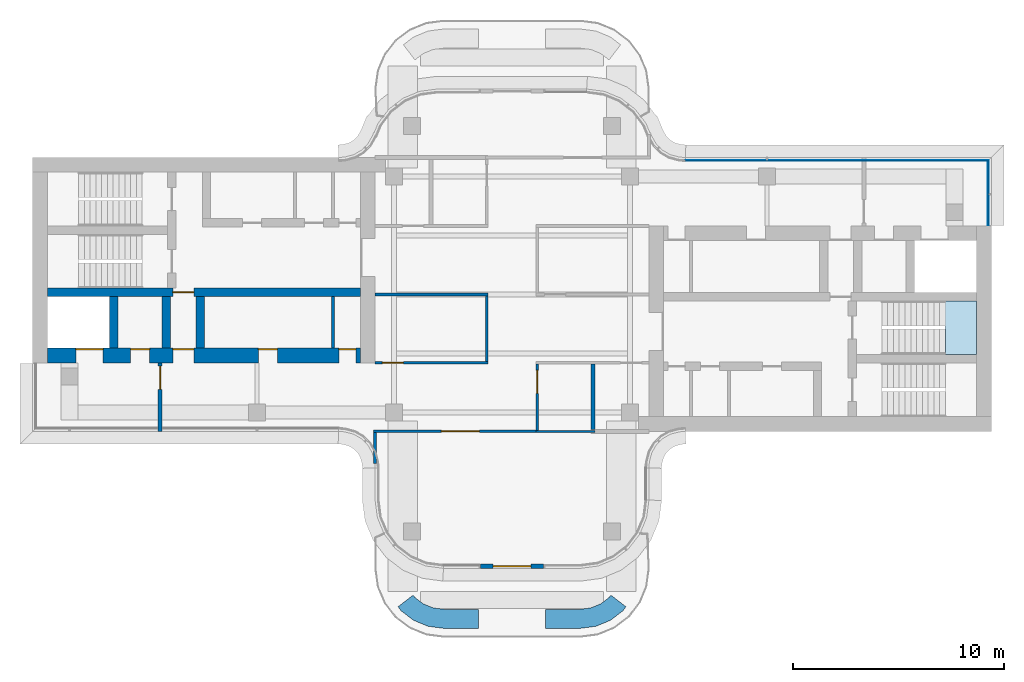
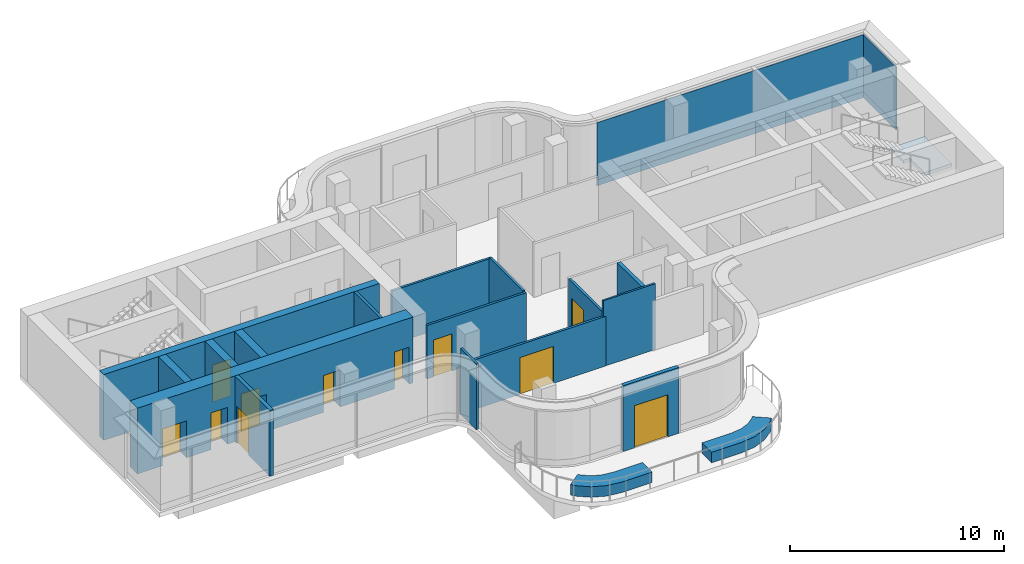
# One storey, part 6 of 9: 18 walls, 11 doors, 4 plates, 1 slab, 11 openings, 3 elements without a shape of their own.
"""IFC4 building model written with IfcOpenShell, lengths in metres."""

from ifc_helpers import new_model, si_unit, direction, frame, frame_2d, origin, place, context, subcontext, project, spatial, polyline, rectangle, outline, extrude, source, transform, mapped, material, layer, layer_set, type_object, element, fill, aggregate, save


model = new_model("IFC4")

# Units and contexts
model_context = context("Model", 3, precision=1e-05, world=origin(), true_north=direction((0.0, 1.0)))
body_context = subcontext(model_context, "Body", "Model", "MODEL_VIEW")
ifc_project = project(units=[si_unit("LENGTHUNIT", "METRE"), si_unit("AREAUNIT", "SQUARE_METRE"), si_unit("VOLUMEUNIT", "CUBIC_METRE"), si_unit("PLANEANGLEUNIT", "RADIAN"), si_unit("MASSUNIT", "GRAM", prefix="KILO")], contexts=[model_context])

# Site, building, storey
site_placement = place(None, origin())
site = spatial("IfcSite", under=ifc_project, at=site_placement, CompositionType="ELEMENT")
building_placement = place(site_placement, origin())
building = spatial("IfcBuilding", under=site, at=building_placement, Name="Trellis Farm Tower", CompositionType="ELEMENT")
storey_placement = place(building_placement, frame((0.0, 0.0, 354.10009765625)))
storey = spatial("IfcBuildingStorey", under=building, at=storey_placement, Name="L80", CompositionType="ELEMENT", Elevation=354.10009765625)

# Stair, slab
ifc_material_1 = material(Name="Concrete C50/60", Category="concrete")
stair_type = type_object("IfcStairType", Name="CORE EXIT STAIR 24 RISERS 167 MM", PredefinedType="HALF_TURN_STAIR", material=ifc_material_1)
placement_1 = place(storey_placement, origin())
stair = element("IfcStair", 1, at=placement_1, inside=storey, type_object=stair_type, Name="Exit stair E2", PredefinedType="HALF_TURN_STAIR")
ifc_layer_1 = layer(ifc_material_1, 0.179931640625)
ifc_layer_set_1 = layer_set([ifc_layer_1], Name="CORE STAIR LANDING 180 CONCRETE C50/60")
slab_type = type_object("IfcSlabType", Name="CORE STAIR LANDING 180 CONCRETE C50/60", PredefinedType="LANDING", material=ifc_layer_set_1)
shared_shape_1 = source(origin(), body_context, "Body", "SweptSolid", [
    extrude(outline(polyline([(20.56494140625, -2.85009765625), (20.56494140625, -1.64990234375), (20.574951171875, -1.64990234375), (20.574951171875, -1.5), (20.21240234375, -1.5), (20.21240234375, -0.300048828125), (20.574951171875, -0.300048828125), (22.050048828125, -0.300048828125), (22.050048828125, -2.85009765625), (20.574951171875, -2.85009765625), (20.56494140625, -2.85009765625)])), origin(), (0.0, 0.0, 1.0), 0.18017578125),
])
slab_placement = place(storey_placement, frame((0.0, 0.0, 1.81982421875)))
slab = element("IfcSlab", 2, at=slab_placement, type_object=slab_type, Name="STE2 landing 1", PredefinedType="LANDING", context=body_context, shape_type="MappedRepresentation", body=[
    mapped(shared_shape_1, transform((0.0, 0.0, 0.0))),
])
aggregate(stair, [slab])

# Curtain wall, plates
ifc_material_2 = material(Name="Aluminium and glass curtain wall", Category="aluminium")
ifc_layer_2 = layer(ifc_material_2, 0.176025390625)
ifc_layer_set_2 = layer_set([ifc_layer_2], Name="CROWN LANTERN CURTAIN WALL CW5")
curtain_wall_type = type_object("IfcCurtainWallType", Name="CROWN LANTERN CURTAIN WALL CW5", PredefinedType="NOTDEFINED", material=ifc_layer_set_2)
curtain_wall_1 = element("IfcCurtainWall", 3, at=placement_1, inside=storey, type_object=curtain_wall_type, Name="CW5 007", PredefinedType="NOTDEFINED")
ifc_material_3 = material(Name="Clear insulated glass", Category="glass")
ifc_layer_3 = layer(ifc_material_3, 0.055908203125)
ifc_layer_set_3 = layer_set([ifc_layer_3], Name="CW5 GLASS PANEL 56")
plate_type_1 = type_object("IfcPlateType", Name="CW5 GLASS PANEL 56", PredefinedType="CURTAIN_PANEL", material=ifc_layer_set_3)
shared_shape_2 = source(origin(), body_context, "Body", "SweptSolid", [
    extrude(outline(polyline([(22.6298828125, 6.3798828125), (8.2275390625, 6.3798828125), (8.2255859375, 6.323974609375), (22.573974609375, 6.323974609375), (22.6298828125, 6.3798828125)])), origin(), (0.0, 0.0, 1.0), 3.25),
])
placement_2 = place(storey_placement, frame((0.0, 0.0, 0.349853515625)))
plate_1 = element("IfcPlate", 4, at=placement_2, type_object=plate_type_1, Name="PL5 007", PredefinedType="CURTAIN_PANEL", context=body_context, shape_type="MappedRepresentation", body=[
    mapped(shared_shape_2, transform((0.0, 0.0, 0.0))),
])
ifc_material_4 = material(Name="Sandstone faced insulated panel", Category="masonry")
ifc_layer_4 = layer(ifc_material_4, 0.044921875)
ifc_layer_set_4 = layer_set([ifc_layer_4], Name="CW5 STONE SPANDREL PANEL 45")
plate_type_2 = type_object("IfcPlateType", Name="CW5 STONE SPANDREL PANEL 45", PredefinedType="CURTAIN_PANEL", material=ifc_layer_set_4)
shared_shape_3 = source(origin(), body_context, "Body", "SweptSolid", [
    extrude(outline(polyline([(22.6298828125, 6.3798828125), (8.2275390625, 6.3798828125), (8.22607421875, 6.3349609375), (22.5849609375, 6.3349609375), (22.6298828125, 6.3798828125)])), origin(), (0.0, 0.0, 1.0), 0.349853515625),
])
plate_2 = element("IfcPlate", 5, at=placement_1, type_object=plate_type_2, Name="PS5 007", PredefinedType="CURTAIN_PANEL", context=body_context, shape_type="MappedRepresentation", body=[
    mapped(shared_shape_3, transform((0.0, 0.0, 0.0))),
])
aggregate(curtain_wall_1, [plate_1, plate_2])

curtain_wall_2 = element("IfcCurtainWall", 6, at=placement_1, inside=storey, type_object=curtain_wall_type, Name="CW5 006", PredefinedType="NOTDEFINED")
shared_shape_4 = source(origin(), body_context, "Body", "SweptSolid", [
    extrude(outline(polyline([(22.6298828125, 3.280029296875), (22.6298828125, 6.3798828125), (22.573974609375, 6.323974609375), (22.573974609375, 3.280029296875), (22.6298828125, 3.280029296875)])), origin(), (0.0, 0.0, 1.0), 3.25),
])
plate_3 = element("IfcPlate", 7, at=placement_2, type_object=plate_type_1, Name="PL5 006", PredefinedType="CURTAIN_PANEL", context=body_context, shape_type="MappedRepresentation", body=[
    mapped(shared_shape_4, transform((0.0, 0.0, 0.0))),
])
shared_shape_5 = source(origin(), body_context, "Body", "SweptSolid", [
    extrude(outline(polyline([(22.6298828125, 3.280029296875), (22.6298828125, 6.3798828125), (22.5849609375, 6.3349609375), (22.5849609375, 3.280029296875), (22.6298828125, 3.280029296875)])), origin(), (0.0, 0.0, 1.0), 0.349853515625),
])
plate_4 = element("IfcPlate", 8, at=placement_1, type_object=plate_type_2, Name="PS5 006", PredefinedType="CURTAIN_PANEL", context=body_context, shape_type="MappedRepresentation", body=[
    mapped(shared_shape_5, transform((0.0, 0.0, 0.0))),
])
aggregate(curtain_wall_2, [plate_3, plate_4])

# Walls
ifc_material_5 = material(Name="Plasterboard on steel studs", Category="steel")
ifc_layer_5 = layer(ifc_material_5, 0.10009765625)
ifc_layer_set_5 = layer_set([ifc_layer_5], Name="PARTITION 100 STUD EI 30")
wall_type_1 = type_object("IfcWallType", Name="PARTITION 100 STUD EI 30", PredefinedType="PARTITIONING", material=ifc_layer_set_5)
wall_1_placement = place(storey_placement, frame((1.137451171875, -6.5, 0.0), z_axis=(0.0, 0.0, 1.0), x_axis=(1.0, 0.0, 0.0)))
element("IfcWall", 9, at=wall_1_placement, inside=storey, type_object=wall_type_1, Name="Partition PW2", PredefinedType="PARTITIONING", context=body_context, shape_type="SweptSolid", body=[
    extrude(rectangle(XDim=2.8125, YDim=0.10009765625, at=frame_2d((1.40625, 0.0))), origin(), (0.0, 0.0, 1.0), 3.75),
])
ifc_material_6 = material(Name="Sandstone faced masonry planter", Category="masonry")
ifc_layer_6 = layer(ifc_material_6, 0.89990234375)
ifc_layer_set_6 = layer_set([ifc_layer_6], Name="TERRACE PLANTER BED 900")
wall_type_2 = type_object("IfcWallType", Name="TERRACE PLANTER BED 900", PredefinedType="USERDEFINED", material=ifc_layer_set_6)
element("IfcWall", 10, at=placement_1, inside=storey, type_object=wall_type_2, Name="PLANTER bed", ObjectType="PLANTER", PredefinedType="USERDEFINED", context=body_context, shape_type="SweptSolid", body=[
    extrude(outline(polyline([(-3.223876953125, -15.85009765625), (-3.98681640625, -15.74951171875), (-4.67333984375, -15.465087890625), (-5.2626953125, -15.0126953125), (-5.40966796875, -14.821533203125), (-4.695556640625, -14.273681640625), (-4.620849609375, -14.370849609375), (-4.219482421875, -14.678955078125), (-3.751708984375, -14.872802734375), (-3.164794921875, -14.949951171875), (-1.60009765625, -14.949951171875), (-1.60009765625, -15.85009765625), (-3.223876953125, -15.85009765625)])), origin(), (0.0, 0.0, 1.0), 0.599853515625),
])
element("IfcWall", 11, at=placement_1, inside=storey, type_object=wall_type_2, Name="PLANTER bed", ObjectType="PLANTER", PredefinedType="USERDEFINED", context=body_context, shape_type="SweptSolid", body=[
    extrude(outline(polyline([(4.67333984375, -15.465087890625), (3.98681640625, -15.74951171875), (3.223876953125, -15.85009765625), (1.60009765625, -15.85009765625), (1.60009765625, -14.949951171875), (3.164794921875, -14.949951171875), (3.751708984375, -14.872802734375), (4.219482421875, -14.678955078125), (4.620849609375, -14.370849609375), (4.695556640625, -14.273681640625), (5.40966796875, -14.821533203125), (5.2626953125, -15.0126953125), (4.67333984375, -15.465087890625)])), origin(), (0.0, 0.0, 1.0), 0.599853515625),
])
ifc_layer_7 = layer(ifc_material_1, 0.39990234375)
ifc_layer_set_7 = layer_set([ifc_layer_7], Name="CORE INNER WALL 400 CONCRETE C50/60")
wall_type_3 = type_object("IfcWallType", Name="CORE INNER WALL 400 CONCRETE C50/60", PredefinedType="SHEAR", material=ifc_layer_set_7)
shared_shape_6 = source(origin(), body_context, "Body", "SweptSolid", [
    extrude(rectangle(XDim=2.449951171875, YDim=0.39990234375, at=frame_2d((1.22509765625, 0.0))), origin(), (0.0, 0.0, 1.0), 3.75),
])
for number, where, z_axis, x_axis, name in (
    (12, (-14.800048828125, -0.10009765625, 0.0), (0.0, 0.0, 1.0), (0.0, -1.0, 0.0), "Core wall"),
    (13, (-16.39990234375, -0.10009765625, 0.0), (0.0, 0.0, 1.0), (0.0, -1.0, 0.0), "Core wall"),
    (14, (-18.89990234375, -0.10009765625, 0.0), (0.0, 0.0, 1.0), (0.0, -1.0, 0.0), "Core wall"),
):
    element("IfcWall", number, at=place(storey_placement, frame(where, z_axis=z_axis, x_axis=x_axis)), inside=storey, type_object=wall_type_3, Name=name, PredefinedType="SHEAR", context=body_context, shape_type="MappedRepresentation", body=[
        mapped(shared_shape_6, transform((0.0, 0.0, 0.0))),
    ])
ifc_material_7 = material(Name="Masonry blockwork", Category="masonry")
ifc_layer_8 = layer(ifc_material_7, 0.14990234375)
ifc_layer_set_8 = layer_set([ifc_layer_8], Name="CORE PARTITION 150 BLOCKWORK")
wall_type_4 = type_object("IfcWallType", Name="CORE PARTITION 150 BLOCKWORK", PredefinedType="PARTITIONING", material=ifc_layer_set_8)
shared_shape_7 = source(origin(), body_context, "Body", "SweptSolid", [
    extrude(rectangle(XDim=2.449951171875, YDim=0.14990234375, at=frame_2d((1.22509765625, 0.0))), origin(), (0.0, 0.0, 1.0), 3.75),
])
wall_4_placement = place(storey_placement, frame((-8.5, -0.10009765625, 0.0), z_axis=(0.0, 0.0, 1.0), x_axis=(0.0, -1.0, 0.0)))
element("IfcWall", 15, at=wall_4_placement, inside=storey, type_object=wall_type_4, Name="Core room partition", PredefinedType="PARTITIONING", context=body_context, shape_type="MappedRepresentation", body=[
    mapped(shared_shape_7, transform((0.0, 0.0, 0.0))),
])

# Wall, openings, doors
ifc_layer_9 = layer(ifc_material_1, 0.699951171875)
ifc_layer_set_9 = layer_set([ifc_layer_9], Name="CORE OUTER WALL 700 CONCRETE C50/60")
wall_type_5 = type_object("IfcWallType", Name="CORE OUTER WALL 700 CONCRETE C50/60", PredefinedType="SHEAR", material=ifc_layer_set_9)
shared_shape_8 = source(origin(), body_context, "Body", "SweptSolid", [
    extrude(rectangle(XDim=14.85009765625, YDim=0.699951171875, at=frame_2d((7.425048828125, 0.0))), origin(), (0.0, 0.0, 1.0), 3.75),
])
wall_5_placement = place(storey_placement, frame((-7.199951171875, -2.89990234375, 0.0), z_axis=(0.0, 0.0, 1.0), x_axis=(-1.0, 0.0, 0.0)))
wall_5 = element("IfcWall", 16, at=wall_5_placement, inside=storey, type_object=wall_type_5, Name="Core wall", PredefinedType="SHEAR", context=body_context, shape_type="MappedRepresentation", body=[
    mapped(shared_shape_8, transform((0.0, 0.0, 0.0))),
])
shared_shape_9 = source(origin(), body_context, "Body", "SweptSolid", [
    extrude(rectangle(XDim=1.300048828125, YDim=2.10009765625, at=frame_2d((0.64990234375, 1.050048828125))), frame((0.0, 0.360107421875, 0.0), z_axis=(0.0, -1.0, 0.0), x_axis=(1.0, 0.0, 0.0)), (0.0, 0.0, 1.0), 0.72021484375),
])
opening_1_placement = place(wall_5_placement, frame((12.199951171875, 0.0, 0.0)))
opening_1 = element("IfcOpeningElement", 17, at=opening_1_placement, cuts=wall_5, Name="Opening LD15", PredefinedType="OPENING", context=body_context, shape_type="MappedRepresentation", body=[
    mapped(shared_shape_9, transform((0.0, 0.0, 0.0))),
])
shared_shape_10 = source(origin(), body_context, "Body", "SweptSolid", [
    extrude(rectangle(XDim=1.0, YDim=2.10009765625, at=frame_2d((0.5, 1.050048828125))), frame((0.0, 0.360107421875, 0.0), z_axis=(0.0, -1.0, 0.0), x_axis=(1.0, 0.0, 0.0)), (0.0, 0.0, 1.0), 0.72021484375),
])
opening_2_placement = place(wall_5_placement, frame((7.89990234375, 0.0, 0.0)))
opening_2 = element("IfcOpeningElement", 18, at=opening_2_placement, cuts=wall_5, Name="Opening DC92", PredefinedType="OPENING", context=body_context, shape_type="MappedRepresentation", body=[
    mapped(shared_shape_10, transform((0.0, 0.0, 0.0))),
])
shared_shape_11 = source(origin(), body_context, "Body", "SweptSolid", [
    extrude(rectangle(XDim=0.800048828125, YDim=2.10009765625, at=frame_2d((0.39990234375, 1.050048828125))), frame((0.0, 0.360107421875, 0.0), z_axis=(0.0, -1.0, 0.0), x_axis=(1.0, 0.0, 0.0)), (0.0, 0.0, 1.0), 0.72021484375),
])
opening_3_placement = place(wall_5_placement, frame((0.21240234375, 0.0, 0.0)))
opening_3 = element("IfcOpeningElement", 19, at=opening_3_placement, cuts=wall_5, Name="Opening DC96", PredefinedType="OPENING", context=body_context, shape_type="MappedRepresentation", body=[
    mapped(shared_shape_11, transform((0.0, 0.0, 0.0))),
])
shared_shape_12 = source(origin(), body_context, "Body", "SweptSolid", [
    extrude(rectangle(XDim=0.89990234375, YDim=2.10009765625, at=frame_2d((0.449951171875, 1.050048828125))), frame((0.0, 0.360107421875, 0.0), z_axis=(0.0, -1.0, 0.0), x_axis=(1.0, 0.0, 0.0)), (0.0, 0.0, 1.0), 0.72021484375),
])
opening_4_placement = place(wall_5_placement, frame((3.9375, 0.0, 0.0)))
opening_4 = element("IfcOpeningElement", 20, at=opening_4_placement, cuts=wall_5, Name="Opening DC103", PredefinedType="OPENING", context=body_context, shape_type="MappedRepresentation", body=[
    mapped(shared_shape_12, transform((0.0, 0.0, 0.0))),
])
opening_5_placement = place(wall_5_placement, frame((10.0, 0.0, 0.0)))
opening_5 = element("IfcOpeningElement", 21, at=opening_5_placement, cuts=wall_5, Name="Opening DC134", PredefinedType="OPENING", context=body_context, shape_type="MappedRepresentation", body=[
    mapped(shared_shape_12, transform((0.0, 0.0, 0.0))),
])
ifc_material_8 = material(Name="Steel", Category="steel")
door_type_1 = type_object("IfcDoorType", Name="CORE FIRE DOOR 1000 X 2100", OperationType="NOTDEFINED", PredefinedType="DOOR", material=ifc_material_8)
shared_shape_13 = source(origin(), body_context, "Body", "SweptSolid", [
    extrude(rectangle(XDim=1.0, YDim=2.10009765625, at=frame_2d((0.5, 1.050048828125))), frame((0.0, -0.27490234375, 0.0), z_axis=(0.0, -1.0, 0.0), x_axis=(1.0, 0.0, 0.0)), (0.0, 0.0, 1.0), 0.050048828125),
])
door_1_placement = place(opening_2_placement, origin())
door_1 = element("IfcDoor", 22, at=door_1_placement, inside=storey, type_object=door_type_1, Name="Core door", OperationType="SINGLE_SWING_LEFT", OverallHeight=2.10009765625, OverallWidth=1.0, PredefinedType="DOOR", context=body_context, shape_type="MappedRepresentation", body=[
    mapped(shared_shape_13, transform((0.0, 0.0, 0.0))),
])
fill(opening_2, door_1)
door_type_2 = type_object("IfcDoorType", Name="CORE FIRE DOOR 900 X 2100", OperationType="NOTDEFINED", PredefinedType="DOOR", material=ifc_material_8)
shared_shape_14 = source(origin(), body_context, "Body", "SweptSolid", [
    extrude(rectangle(XDim=0.89990234375, YDim=2.10009765625, at=frame_2d((0.449951171875, 1.050048828125))), frame((0.0, -0.27490234375, 0.0), z_axis=(0.0, -1.0, 0.0), x_axis=(1.0, 0.0, 0.0)), (0.0, 0.0, 1.0), 0.050048828125),
])
door_2_placement = place(opening_4_placement, origin())
door_2 = element("IfcDoor", 23, at=door_2_placement, inside=storey, type_object=door_type_2, Name="Core door", OperationType="SINGLE_SWING_LEFT", OverallHeight=2.10009765625, OverallWidth=0.89990234375, PredefinedType="DOOR", context=body_context, shape_type="MappedRepresentation", body=[
    mapped(shared_shape_14, transform((0.0, 0.0, 0.0))),
])
fill(opening_4, door_2)
door_3_placement = place(opening_5_placement, origin())
door_3 = element("IfcDoor", 24, at=door_3_placement, inside=storey, type_object=door_type_2, Name="Core door", OperationType="SINGLE_SWING_RIGHT", OverallHeight=2.10009765625, OverallWidth=0.89990234375, PredefinedType="DOOR", context=body_context, shape_type="MappedRepresentation", body=[
    mapped(shared_shape_14, transform((0.0, 0.0, 0.0))),
])
fill(opening_5, door_3)
ifc_material_9 = material(Name="Stainless steel", Category="steel")
door_type_3 = type_object("IfcDoorType", Name="LIFT LANDING DOOR 1300 X 2100", OperationType="DOUBLE_DOOR_SLIDING", PredefinedType="DOOR", material=ifc_material_9)
shared_shape_15 = source(origin(), body_context, "Body", "SweptSolid", [
    extrude(rectangle(XDim=1.300048828125, YDim=2.10009765625, at=frame_2d((0.64990234375, 1.050048828125))), frame((0.0, -0.27490234375, 0.0), z_axis=(0.0, -1.0, 0.0), x_axis=(1.0, 0.0, 0.0)), (0.0, 0.0, 1.0), 0.050048828125),
])
door_4_placement = place(opening_1_placement, origin())
door_4 = element("IfcDoor", 25, at=door_4_placement, inside=storey, type_object=door_type_3, Name="Lift landing door", OperationType="DOUBLE_DOOR_SLIDING", OverallHeight=2.10009765625, OverallWidth=1.300048828125, PredefinedType="DOOR", context=body_context, shape_type="MappedRepresentation", body=[
    mapped(shared_shape_15, transform((0.0, 0.0, 0.0))),
])
fill(opening_1, door_4)
door_type_4 = type_object("IfcDoorType", Name="CORE FIRE DOOR 800 X 2100", OperationType="NOTDEFINED", PredefinedType="DOOR", material=ifc_material_8)
shared_shape_16 = source(origin(), body_context, "Body", "SweptSolid", [
    extrude(rectangle(XDim=0.800048828125, YDim=2.10009765625, at=frame_2d((0.39990234375, 1.050048828125))), frame((0.0, -0.27490234375, 0.0), z_axis=(0.0, -1.0, 0.0), x_axis=(1.0, 0.0, 0.0)), (0.0, 0.0, 1.0), 0.050048828125),
])
door_5_placement = place(opening_3_placement, origin())
door_5 = element("IfcDoor", 26, at=door_5_placement, inside=storey, type_object=door_type_4, Name="Core door", OperationType="SINGLE_SWING_RIGHT", OverallHeight=2.10009765625, OverallWidth=0.800048828125, PredefinedType="DOOR", context=body_context, shape_type="MappedRepresentation", body=[
    mapped(shared_shape_16, transform((0.0, 0.0, 0.0))),
])
fill(opening_3, door_5)

# Wall, opening, door
shared_shape_17 = source(origin(), body_context, "Body", "SweptSolid", [
    extrude(rectangle(XDim=14.85009765625, YDim=0.39990234375, at=frame_2d((7.425048828125, 0.0))), origin(), (0.0, 0.0, 1.0), 3.75),
])
wall_6_placement = place(storey_placement, frame((-7.199951171875, 0.10009765625, 0.0), z_axis=(0.0, 0.0, 1.0), x_axis=(-1.0, 0.0, 0.0)))
wall_6 = element("IfcWall", 27, at=wall_6_placement, inside=storey, type_object=wall_type_3, Name="Core wall", PredefinedType="SHEAR", context=body_context, shape_type="MappedRepresentation", body=[
    mapped(shared_shape_17, transform((0.0, 0.0, 0.0))),
])
shared_shape_18 = source(origin(), body_context, "Body", "SweptSolid", [
    extrude(rectangle(XDim=1.0, YDim=2.10009765625, at=frame_2d((0.5, 1.050048828125))), frame((0.0, 0.2099609375, 0.0), z_axis=(0.0, -1.0, 0.0), x_axis=(1.0, 0.0, 0.0)), (0.0, 0.0, 1.0), 0.419921875),
])
opening_6_placement = place(wall_6_placement, frame((7.89990234375, 0.0, 0.0)))
opening_6 = element("IfcOpeningElement", 28, at=opening_6_placement, cuts=wall_6, Name="Opening DC91", PredefinedType="OPENING", context=body_context, shape_type="MappedRepresentation", body=[
    mapped(shared_shape_18, transform((0.0, 0.0, 0.0))),
])
shared_shape_19 = source(origin(), body_context, "Body", "SweptSolid", [
    extrude(rectangle(XDim=1.0, YDim=2.10009765625, at=frame_2d((0.5, 1.050048828125))), frame((0.0, 0.02490234375, 0.0), z_axis=(0.0, -1.0, 0.0), x_axis=(1.0, 0.0, 0.0)), (0.0, 0.0, 1.0), 0.050048828125),
])
door_6_placement = place(opening_6_placement, origin())
door_6 = element("IfcDoor", 29, at=door_6_placement, inside=storey, type_object=door_type_1, Name="Core door", OperationType="SINGLE_SWING_RIGHT", OverallHeight=2.10009765625, OverallWidth=1.0, PredefinedType="DOOR", context=body_context, shape_type="MappedRepresentation", body=[
    mapped(shared_shape_19, transform((0.0, 0.0, 0.0))),
])
fill(opening_6, door_6)

ifc_layer_10 = layer(ifc_material_7, 0.199951171875)
ifc_layer_set_10 = layer_set([ifc_layer_10], Name="FIRE LOBBY PARTITION 200 BLOCKWORK")
wall_type_6 = type_object("IfcWallType", Name="FIRE LOBBY PARTITION 200 BLOCKWORK", PredefinedType="PARTITIONING", material=ifc_layer_set_10)
shared_shape_20 = source(origin(), body_context, "Body", "SweptSolid", [
    extrude(rectangle(XDim=3.25, YDim=0.199951171875, at=frame_2d((1.625, 0.0))), origin(), (0.0, 0.0, 1.0), 3.75),
])
wall_7_placement = place(storey_placement, frame((-16.699951171875, -3.25, 0.0), z_axis=(0.0, 0.0, 1.0), x_axis=(0.0, -1.0, 0.0)))
wall_7 = element("IfcWall", 30, at=wall_7_placement, inside=storey, type_object=wall_type_6, Name="Fire-fighting lobby partition", PredefinedType="PARTITIONING", context=body_context, shape_type="MappedRepresentation", body=[
    mapped(shared_shape_20, transform((0.0, 0.0, 0.0))),
])
shared_shape_21 = source(origin(), body_context, "Body", "SweptSolid", [
    extrude(rectangle(XDim=1.10009765625, YDim=2.10009765625, at=frame_2d((0.550048828125, 1.050048828125))), frame((0.0, 0.110107421875, 0.0), z_axis=(0.0, -1.0, 0.0), x_axis=(1.0, 0.0, 0.0)), (0.0, 0.0, 1.0), 0.22021484375),
])
opening_7_placement = place(wall_7_placement, frame((0.14990234375, 0.0, 0.0)))
opening_7 = element("IfcOpeningElement", 31, at=opening_7_placement, cuts=wall_7, Name="Opening DC93", PredefinedType="OPENING", context=body_context, shape_type="MappedRepresentation", body=[
    mapped(shared_shape_21, transform((0.0, 0.0, 0.0))),
])
door_type_5 = type_object("IfcDoorType", Name="CORE FIRE DOOR 1100 X 2100", OperationType="NOTDEFINED", PredefinedType="DOOR", material=ifc_material_8)
shared_shape_22 = source(origin(), body_context, "Body", "SweptSolid", [
    extrude(rectangle(XDim=1.10009765625, YDim=2.10009765625, at=frame_2d((0.550048828125, 1.050048828125))), frame((0.0, 0.02490234375, 0.0), z_axis=(0.0, -1.0, 0.0), x_axis=(1.0, 0.0, 0.0)), (0.0, 0.0, 1.0), 0.050048828125),
])
door_7_placement = place(opening_7_placement, origin())
door_7 = element("IfcDoor", 32, at=door_7_placement, inside=storey, type_object=door_type_5, Name="Core door", OperationType="SINGLE_SWING_RIGHT", OverallHeight=2.10009765625, OverallWidth=1.10009765625, PredefinedType="DOOR", context=body_context, shape_type="MappedRepresentation", body=[
    mapped(shared_shape_22, transform((0.0, 0.0, 0.0))),
])
fill(opening_7, door_7)

ifc_material_10 = material(Name="Sandstone faced insulated wall", Category="masonry")
ifc_layer_11 = layer(ifc_material_10, 0.199951171875)
ifc_layer_set_11 = layer_set([ifc_layer_11], Name="EXTERNAL INFILL WALL 200")
wall_type_7 = type_object("IfcWallType", Name="EXTERNAL INFILL WALL 200", PredefinedType="SOLIDWALL", material=ifc_layer_set_11)
shared_shape_23 = source(origin(), body_context, "Body", "SweptSolid", [
    extrude(rectangle(XDim=3.0, YDim=0.199951171875, at=frame_2d((1.5, 0.0))), origin(), (0.0, 0.0, 1.0), 3.75),
])
wall_8_placement = place(storey_placement, frame((-1.5, -12.89990234375, 0.0), z_axis=(0.0, 0.0, 1.0), x_axis=(1.0, 0.0, 0.0)))
wall_8 = element("IfcWall", 33, at=wall_8_placement, inside=storey, type_object=wall_type_7, Name="EW1 01", PredefinedType="SOLIDWALL", context=body_context, shape_type="MappedRepresentation", body=[
    mapped(shared_shape_23, transform((0.0, 0.0, 0.0))),
])
shared_shape_24 = source(origin(), body_context, "Body", "SweptSolid", [
    extrude(rectangle(XDim=1.800048828125, YDim=2.39990234375, at=frame_2d((0.89990234375, 1.199951171875))), frame((0.0, 0.110107421875, 0.0), z_axis=(0.0, -1.0, 0.0), x_axis=(1.0, 0.0, 0.0)), (0.0, 0.0, 1.0), 0.22021484375),
])
opening_8_placement = place(wall_8_placement, frame((0.60009765625, 0.0, 0.0)))
opening_8 = element("IfcOpeningElement", 34, at=opening_8_placement, cuts=wall_8, Name="Opening ED1", PredefinedType="OPENING", context=body_context, shape_type="MappedRepresentation", body=[
    mapped(shared_shape_24, transform((0.0, 0.0, 0.0))),
])
ifc_material_11 = material(Name="Aluminium framed glazed door", Category="aluminium")
door_type_6 = type_object("IfcDoorType", Name="BALCONY DOOR 1800x2400", OperationType="DOUBLE_DOOR_SINGLE_SWING", PredefinedType="DOOR", material=ifc_material_11)
shared_shape_25 = source(origin(), body_context, "Body", "SweptSolid", [
    extrude(rectangle(XDim=1.800048828125, YDim=2.39990234375, at=frame_2d((0.89990234375, 1.199951171875))), frame((0.0, 0.02490234375, 0.0), z_axis=(0.0, -1.0, 0.0), x_axis=(1.0, 0.0, 0.0)), (0.0, 0.0, 1.0), 0.050048828125),
])
door_8_placement = place(opening_8_placement, origin())
door_8 = element("IfcDoor", 35, at=door_8_placement, inside=storey, type_object=door_type_6, Name="Balcony door", OperationType="DOUBLE_DOOR_SINGLE_SWING", OverallHeight=2.39990234375, OverallWidth=1.800048828125, PredefinedType="DOOR", context=body_context, shape_type="MappedRepresentation", body=[
    mapped(shared_shape_25, transform((0.0, 0.0, 0.0))),
])
fill(opening_8, door_8)

ifc_material_12 = material(Name="Plasterboard on steel studs, mineral wool", Category="steel")
ifc_layer_12 = layer(ifc_material_12, 0.125)
ifc_layer_set_12 = layer_set([ifc_layer_12], Name="PARTITION 125 STUD EI 60")
wall_type_8 = type_object("IfcWallType", Name="PARTITION 125 STUD EI 60", PredefinedType="PARTITIONING", material=ifc_layer_set_12)
shared_shape_26 = source(origin(), body_context, "Body", "SweptSolid", [
    extrude(rectangle(XDim=3.137451171875, YDim=0.125, at=frame_2d((1.56884765625, 0.0))), origin(), (0.0, 0.0, 1.0), 3.04638671875),
])
wall_9_placement = place(storey_placement, frame((1.199951171875, -3.3125, 0.0), z_axis=(0.0, 0.0, 1.0), x_axis=(0.0, -1.0, 0.0)))
wall_9 = element("IfcWall", 36, at=wall_9_placement, inside=storey, type_object=wall_type_8, Name="Partition PW1", PredefinedType="PARTITIONING", context=body_context, shape_type="MappedRepresentation", body=[
    mapped(shared_shape_26, transform((0.0, 0.0, 0.0))),
])
shared_shape_27 = source(origin(), body_context, "Body", "SweptSolid", [
    extrude(rectangle(XDim=1.10009765625, YDim=2.10009765625, at=frame_2d((0.550048828125, 1.050048828125))), frame((0.0, 0.072509765625, 0.0), z_axis=(0.0, -1.0, 0.0), x_axis=(1.0, 0.0, 0.0)), (0.0, 0.0, 1.0), 0.14501953125),
])
opening_9_placement = place(wall_9_placement, frame((0.28759765625, 0.0, 0.0)))
opening_9 = element("IfcOpeningElement", 37, at=opening_9_placement, cuts=wall_9, Name="Opening D501", PredefinedType="OPENING", context=body_context, shape_type="MappedRepresentation", body=[
    mapped(shared_shape_27, transform((0.0, 0.0, 0.0))),
])
ifc_material_13 = material(Name="Fire-rated timber door leaf in a hollow metal frame", Category="wood")
door_type_7 = type_object("IfcDoorType", Name="DOOR 1100x2100 FD30S", OperationType="NOTDEFINED", PredefinedType="DOOR", material=ifc_material_13)
door_9_placement = place(opening_9_placement, origin())
door_9 = element("IfcDoor", 38, at=door_9_placement, inside=storey, type_object=door_type_7, Name="Door D501", OperationType="SINGLE_SWING_LEFT", OverallHeight=2.10009765625, OverallWidth=1.10009765625, PredefinedType="DOOR", context=body_context, shape_type="MappedRepresentation", body=[
    mapped(shared_shape_22, transform((0.0, 0.0, 0.0))),
])
fill(opening_9, door_9)

# Walls
shared_shape_28 = source(origin(), body_context, "Body", "SweptSolid", [
    extrude(rectangle(XDim=3.125, YDim=0.125, at=frame_2d((1.5625, 0.0))), origin(), (0.0, 0.0, 1.0), 3.11767578125),
])
wall_10_placement = place(storey_placement, frame((-1.199951171875, -0.0625, 0.0), z_axis=(0.0, 0.0, 1.0), x_axis=(0.0, -1.0, 0.0)))
element("IfcWall", 39, at=wall_10_placement, inside=storey, type_object=wall_type_8, Name="Partition PW1", PredefinedType="PARTITIONING", context=body_context, shape_type="MappedRepresentation", body=[
    mapped(shared_shape_28, transform((0.0, 0.0, 0.0))),
])
shared_shape_29 = source(origin(), body_context, "Body", "SweptSolid", [
    extrude(rectangle(XDim=1.468994140625, YDim=0.125, at=frame_2d((0.734375, 0.0))), origin(), (0.0, 0.0, 1.0), 3.75),
])
wall_11_placement = place(storey_placement, frame((-6.5, -6.5625, 0.0), z_axis=(0.0, 0.0, 1.0), x_axis=(0.0, -1.0, 0.0)))
element("IfcWall", 40, at=wall_11_placement, inside=storey, type_object=wall_type_8, Name="Partition PW1", PredefinedType="PARTITIONING", context=body_context, shape_type="MappedRepresentation", body=[
    mapped(shared_shape_29, transform((0.0, 0.0, 0.0))),
])

# Wall, opening, door
shared_shape_30 = source(origin(), body_context, "Body", "SweptSolid", [
    extrude(rectangle(XDim=5.362548828125, YDim=0.125, at=frame_2d((2.68115234375, 0.0))), origin(), (0.0, 0.0, 1.0), 3.04638671875),
])
wall_12_placement = place(storey_placement, frame((-1.137451171875, -3.25, 0.0), z_axis=(0.0, 0.0, 1.0), x_axis=(-1.0, 0.0, 0.0)))
wall_12 = element("IfcWall", 41, at=wall_12_placement, inside=storey, type_object=wall_type_8, Name="Partition PW1", PredefinedType="PARTITIONING", context=body_context, shape_type="MappedRepresentation", body=[
    mapped(shared_shape_30, transform((0.0, 0.0, 0.0))),
])
shared_shape_31 = source(origin(), body_context, "Body", "SweptSolid", [
    extrude(rectangle(XDim=1.0, YDim=2.10009765625, at=frame_2d((0.5, 1.050048828125))), frame((0.0, 0.072509765625, 0.0), z_axis=(0.0, -1.0, 0.0), x_axis=(1.0, 0.0, 0.0)), (0.0, 0.0, 1.0), 0.14501953125),
])
opening_10_placement = place(wall_12_placement, frame((4.012451171875, 0.0, 0.0)))
opening_10 = element("IfcOpeningElement", 42, at=opening_10_placement, cuts=wall_12, Name="Opening D101", PredefinedType="OPENING", context=body_context, shape_type="MappedRepresentation", body=[
    mapped(shared_shape_31, transform((0.0, 0.0, 0.0))),
])
door_type_8 = type_object("IfcDoorType", Name="DOOR 1000x2100 FD30S", OperationType="NOTDEFINED", PredefinedType="DOOR", material=ifc_material_13)
door_10_placement = place(opening_10_placement, origin())
door_10 = element("IfcDoor", 43, at=door_10_placement, inside=storey, type_object=door_type_8, Name="Door D101", OperationType="SINGLE_SWING_RIGHT", OverallHeight=2.10009765625, OverallWidth=1.0, PredefinedType="DOOR", context=body_context, shape_type="MappedRepresentation", body=[
    mapped(shared_shape_19, transform((0.0, 0.0, 0.0))),
])
fill(opening_10, door_10)

# Wall
wall_13_placement = place(storey_placement, frame((-1.137451171875, 0.0, 0.0), z_axis=(0.0, 0.0, 1.0), x_axis=(-1.0, 0.0, 0.0)))
element("IfcWall", 44, at=wall_13_placement, inside=storey, type_object=wall_type_8, Name="Partition PW1", PredefinedType="PARTITIONING", context=body_context, shape_type="MappedRepresentation", body=[
    mapped(shared_shape_30, transform((0.0, 0.0, 0.0))),
])

# Wall, opening, door
shared_shape_32 = source(origin(), body_context, "Body", "SweptSolid", [
    extrude(rectangle(XDim=7.824951171875, YDim=0.125, at=frame_2d((3.91259765625, 0.0))), origin(), (0.0, 0.0, 1.0), 2.829833984375),
])
wall_14_placement = place(storey_placement, frame((1.262451171875, -6.5, 0.0), z_axis=(0.0, 0.0, 1.0), x_axis=(-1.0, 0.0, 0.0)))
wall_14 = element("IfcWall", 45, at=wall_14_placement, inside=storey, type_object=wall_type_8, Name="Partition PW1", PredefinedType="PARTITIONING", context=body_context, shape_type="MappedRepresentation", body=[
    mapped(shared_shape_32, transform((0.0, 0.0, 0.0))),
])
shared_shape_33 = source(origin(), body_context, "Body", "SweptSolid", [
    extrude(rectangle(XDim=1.800048828125, YDim=2.10009765625, at=frame_2d((0.89990234375, 1.050048828125))), frame((0.0, 0.072509765625, 0.0), z_axis=(0.0, -1.0, 0.0), x_axis=(1.0, 0.0, 0.0)), (0.0, 0.0, 1.0), 0.14501953125),
])
opening_11_placement = place(wall_14_placement, frame((2.8125, 0.0, 0.0)))
opening_11 = element("IfcOpeningElement", 46, at=opening_11_placement, cuts=wall_14, Name="Opening D201", PredefinedType="OPENING", context=body_context, shape_type="MappedRepresentation", body=[
    mapped(shared_shape_33, transform((0.0, 0.0, 0.0))),
])
door_type_9 = type_object("IfcDoorType", Name="DOOR PAIR 1800x2100 FD30S", OperationType="NOTDEFINED", PredefinedType="DOOR", material=ifc_material_13)
shared_shape_34 = source(origin(), body_context, "Body", "SweptSolid", [
    extrude(rectangle(XDim=1.800048828125, YDim=2.10009765625, at=frame_2d((0.89990234375, 1.050048828125))), frame((0.0, 0.02490234375, 0.0), z_axis=(0.0, -1.0, 0.0), x_axis=(1.0, 0.0, 0.0)), (0.0, 0.0, 1.0), 0.050048828125),
])
door_11_placement = place(opening_11_placement, origin())
door_11 = element("IfcDoor", 47, at=door_11_placement, inside=storey, type_object=door_type_9, Name="Door D201", OperationType="DOUBLE_DOOR_SINGLE_SWING", OverallHeight=2.10009765625, OverallWidth=1.800048828125, PredefinedType="DOOR", context=body_context, shape_type="MappedRepresentation", body=[
    mapped(shared_shape_34, transform((0.0, 0.0, 0.0))),
])
fill(opening_11, door_11)

# Wall
ifc_material_14 = material(Name="Lightweight blockwork, plastered", Category="masonry")
ifc_layer_13 = layer(ifc_material_14, 0.199951171875)
ifc_layer_set_13 = layer_set([ifc_layer_13], Name="BLOCK WALL 200 EI 120")
wall_type_9 = type_object("IfcWallType", Name="BLOCK WALL 200 EI 120", PredefinedType="PARTITIONING", material=ifc_layer_set_13)
shared_shape_35 = source(origin(), body_context, "Body", "SweptSolid", [
    extrude(rectangle(XDim=3.08740234375, YDim=0.199951171875, at=frame_2d((1.543701171875, 0.0))), origin(), (0.0, 0.0, 1.0), 3.04638671875),
])
wall_15_placement = place(storey_placement, frame((3.85009765625, -6.39990234375, 0.0), z_axis=(0.0, 0.0, 1.0), x_axis=(0.0, 1.0, 0.0)))
element("IfcWall", 48, at=wall_15_placement, inside=storey, type_object=wall_type_9, Name="Partition PW3", PredefinedType="PARTITIONING", context=body_context, shape_type="MappedRepresentation", body=[
    mapped(shared_shape_35, transform((0.0, 0.0, 0.0))),
])

save(model, "model.ifc")
